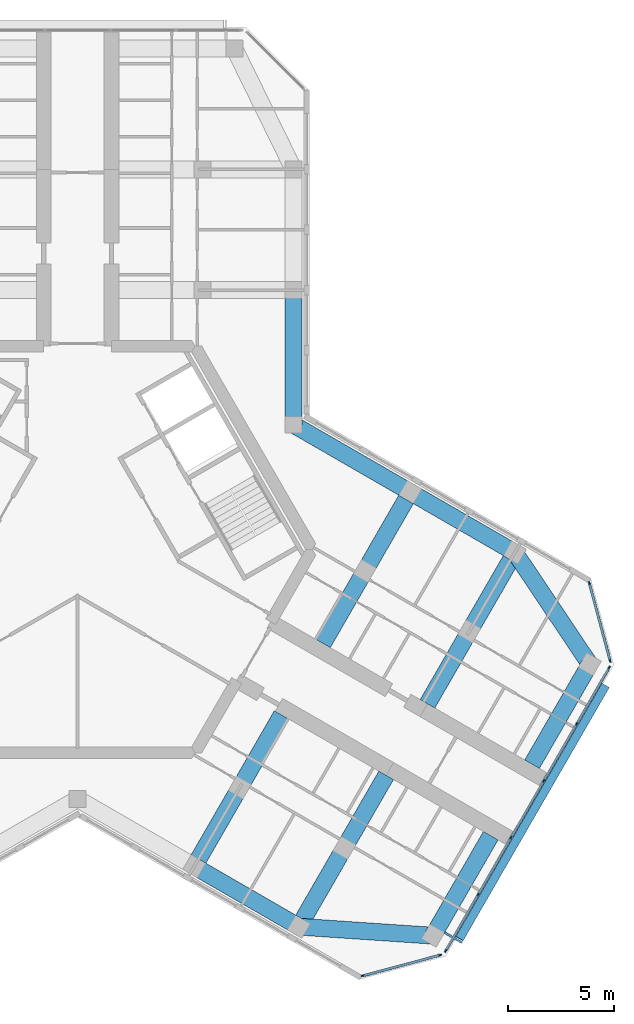
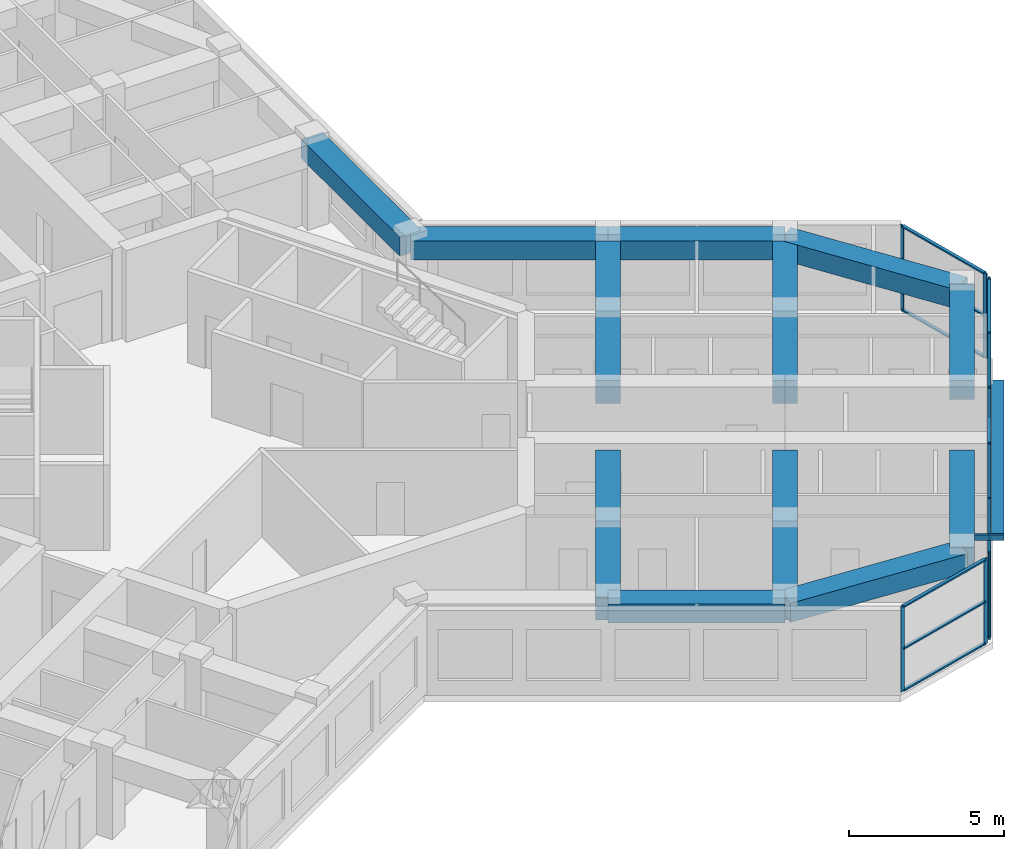
# One storey, part 4 of 14: 28 members, 12 beams, 3 elements without a shape of their own.
"""IFC4 building model written with IfcOpenShell, lengths in metres."""

from ifc_helpers import new_model, si_unit, direction, frame, origin, origin_2d, place, context, subcontext, project, spatial, rectangle, hollow_rectangle, extrude, material, material_profile, profile_set, type_object, element, aggregate, save


model = new_model("IFC4")

# Units and contexts
model_context = context("Model", 3, precision=1e-05, world=origin(), true_north=direction((0.0, 1.0)))
body_context = subcontext(model_context, "Body", "Model", "MODEL_VIEW")
ifc_project = project(units=[si_unit("LENGTHUNIT", "METRE"), si_unit("AREAUNIT", "SQUARE_METRE"), si_unit("VOLUMEUNIT", "CUBIC_METRE"), si_unit("PLANEANGLEUNIT", "RADIAN"), si_unit("MASSUNIT", "GRAM", prefix="KILO")], contexts=[model_context])

# Site, building, storey
site_placement = place(None, origin())
site = spatial("IfcSite", under=ifc_project, at=site_placement, CompositionType="ELEMENT")
building_placement = place(site_placement, origin())
building = spatial("IfcBuilding", under=site, at=building_placement, Name="Kosmar Iwan School Tower", CompositionType="ELEMENT")
storey_placement = place(building_placement, frame((0.0, 0.0, 281.800048828125)))
storey = spatial("IfcBuildingStorey", under=building, at=storey_placement, Name="L71", CompositionType="ELEMENT", Elevation=281.800048828125)

# Members
ifc_material_1 = material(Name="Black anodised aluminium", Category="aluminium")
ifc_material_profile_1 = material_profile(ifc_material_1, rectangle(XDim=0.10009765625, YDim=0.39990234375, at=origin_2d()), Name="FIN 100x400")
ifc_profile_set_1 = profile_set([ifc_material_profile_1], Name="Black anodised aluminium")
member_type_1 = type_object("IfcMemberType", Name="Diagonal fin 100x400", PredefinedType="USERDEFINED", material=ifc_profile_set_1)
member_1_placement = place(storey_placement, frame((24.926513671875, -6.426025390625, -0.150146484375), z_axis=(-0.483800388566, -0.837965217343, 0.2524905514), x_axis=(0.126245460598, 0.218663124976, 0.96759935999)))
element("IfcMember", 1, at=member_1_placement, inside=storey, type_object=member_type_1, Name="Diagonal fin L71-F03", ObjectType="FIN", PredefinedType="USERDEFINED", context=body_context, shape_type="SweptSolid", body=[
    extrude(rectangle(XDim=0.10009765625, YDim=0.39990234375, at=origin_2d()), origin(), (0.0, 0.0, 1.0), 14.25830078125),
])
ifc_material_2 = material(Name="Steel S355", Category="steel")
ifc_material_profile_2 = material_profile(ifc_material_2, hollow_rectangle(XDim=0.10009765625, YDim=0.199951171875, WallThickness=0.008056640625, at=origin_2d()), Name="RHS 200x100x8")
ifc_profile_set_2 = profile_set([ifc_material_profile_2], Name="Steel S355")
member_type_2 = type_object("IfcMemberType", Name="Fin bracket RHS 200x100", PredefinedType="USERDEFINED", material=ifc_profile_set_2)
member_2_placement = place(storey_placement, frame((17.327880859375, -18.087158203125, 3.474853515625), z_axis=(0.865988727248, -0.500063520245, 0.0), x_axis=(0.500063520245, 0.865988727248, 0.0)))
element("IfcMember", 2, at=member_2_placement, inside=storey, type_object=member_type_2, Name="Fin bracket L72", ObjectType="FIN BRACKET", PredefinedType="USERDEFINED", context=body_context, shape_type="SweptSolid", body=[
    extrude(hollow_rectangle(XDim=0.10009765625, YDim=0.199951171875, WallThickness=0.008056640625, at=origin_2d()), origin(), (0.0, 0.0, 1.0), 0.9501953125),
])

# Curtain wall, members
ifc_material_3 = material(Name="Dark glass in black aluminium frame", Category="aluminium")
curtain_wall_type_1 = type_object("IfcCurtainWallType", Name="Chamfer curtain wall dark glass", PredefinedType="USERDEFINED", material=ifc_material_3)
curtain_wall_1_placement = place(storey_placement, origin())
curtain_wall_1 = element("IfcCurtainWall", 3, at=curtain_wall_1_placement, inside=storey, type_object=curtain_wall_type_1, Name="Curtain wall L71-F02", ObjectType="FACETED CURTAIN WALL", PredefinedType="USERDEFINED")
ifc_material_4 = material(Name="Black anodised aluminium", Category="aluminium")
ifc_material_profile_3 = material_profile(ifc_material_4, rectangle(XDim=0.06005859375, YDim=0.159912109375, at=origin_2d()), Name="MULLION 60x160")
ifc_profile_set_3 = profile_set([ifc_material_profile_3], Name="Black anodised aluminium")
member_type_3 = type_object("IfcMemberType", Name="Mullion 60x160", PredefinedType="MULLION", material=ifc_profile_set_3)
member_3_placement = place(storey_placement, frame((13.466064453125, -20.127197265625, 0.0), z_axis=(0.0, 0.0, 1.0), x_axis=(-0.258818861462, 0.965925875495, 0.0)))
member_3 = element("IfcMember", 4, at=member_3_placement, type_object=member_type_3, Name="CW2 mullion 1", PredefinedType="MULLION", context=body_context, shape_type="SweptSolid", body=[
    extrude(rectangle(XDim=0.06005859375, YDim=0.159912109375, at=origin_2d()), origin(), (0.0, 0.0, 1.0), 3.349853515625),
])
member_4_placement = place(storey_placement, frame((17.1162109375, -19.149169921875, 0.0), z_axis=(0.0, 0.0, 1.0), x_axis=(-0.258818861462, 0.965925875495, 0.0)))
member_4 = element("IfcMember", 5, at=member_4_placement, type_object=member_type_3, Name="CW2 mullion 2", PredefinedType="MULLION", context=body_context, shape_type="SweptSolid", body=[
    extrude(rectangle(XDim=0.06005859375, YDim=0.159912109375, at=origin_2d()), origin(), (0.0, 0.0, 1.0), 3.349853515625),
])

ifc_material_5 = material(Name="Dark glass in black aluminium frame", Category="aluminium")
curtain_wall_type_2 = type_object("IfcCurtainWallType", Name="Tower curtain wall dark glass", PredefinedType="USERDEFINED", material=ifc_material_5)
curtain_wall_2_placement = place(storey_placement, origin())
curtain_wall_2 = element("IfcCurtainWall", 6, at=curtain_wall_2_placement, inside=storey, type_object=curtain_wall_type_2, Name="Curtain wall L71-F03", ObjectType="UNITISED CURTAIN WALL", PredefinedType="USERDEFINED")
member_5_placement = place(storey_placement, frame((17.380126953125, -18.94677734375, 0.0), z_axis=(0.0, 0.0, 1.0), x_axis=(-0.866025405329, 0.499999997325, 0.0)))
member_5 = element("IfcMember", 7, at=member_5_placement, type_object=member_type_3, Name="CW1 mullion 1", PredefinedType="MULLION", context=body_context, shape_type="SweptSolid", body=[
    extrude(rectangle(XDim=0.06005859375, YDim=0.159912109375, at=origin_2d()), origin(), (0.0, 0.0, 1.0), 3.349853515625),
])
member_6_placement = place(storey_placement, frame((18.914794921875, -16.28857421875, 0.0), z_axis=(0.0, 0.0, 1.0), x_axis=(-0.866025405329, 0.499999997325, 0.0)))
member_6 = element("IfcMember", 8, at=member_6_placement, type_object=member_type_3, Name="CW1 mullion 2", PredefinedType="MULLION", context=body_context, shape_type="SweptSolid", body=[
    extrude(rectangle(XDim=0.06005859375, YDim=0.159912109375, at=origin_2d()), origin(), (0.0, 0.0, 1.0), 3.349853515625),
])
member_7_placement = place(storey_placement, frame((20.46435546875, -13.6044921875, 0.0), z_axis=(0.0, 0.0, 1.0), x_axis=(-0.866025405329, 0.499999997325, 0.0)))
member_7 = element("IfcMember", 9, at=member_7_placement, type_object=member_type_3, Name="CW1 mullion 3", PredefinedType="MULLION", context=body_context, shape_type="SweptSolid", body=[
    extrude(rectangle(XDim=0.06005859375, YDim=0.159912109375, at=origin_2d()), origin(), (0.0, 0.0, 1.0), 3.349853515625),
])
member_8_placement = place(storey_placement, frame((22.01416015625, -10.92041015625, 0.0), z_axis=(0.0, 0.0, 1.0), x_axis=(-0.866025405329, 0.499999997325, 0.0)))
member_8 = element("IfcMember", 10, at=member_8_placement, type_object=member_type_3, Name="CW1 mullion 4", PredefinedType="MULLION", context=body_context, shape_type="SweptSolid", body=[
    extrude(rectangle(XDim=0.06005859375, YDim=0.159912109375, at=origin_2d()), origin(), (0.0, 0.0, 1.0), 3.349853515625),
])
member_9_placement = place(storey_placement, frame((23.563720703125, -8.236328125, 0.0), z_axis=(0.0, 0.0, 1.0), x_axis=(-0.866025405329, 0.499999997325, 0.0)))
member_9 = element("IfcMember", 11, at=member_9_placement, type_object=member_type_3, Name="CW1 mullion 5", PredefinedType="MULLION", context=body_context, shape_type="SweptSolid", body=[
    extrude(rectangle(XDim=0.06005859375, YDim=0.159912109375, at=origin_2d()), origin(), (0.0, 0.0, 1.0), 3.349853515625),
])
member_10_placement = place(storey_placement, frame((25.098388671875, -5.578369140625, 0.0), z_axis=(0.0, 0.0, 1.0), x_axis=(-0.866025405329, 0.499999997325, 0.0)))
member_10 = element("IfcMember", 12, at=member_10_placement, type_object=member_type_3, Name="CW1 mullion 6", PredefinedType="MULLION", context=body_context, shape_type="SweptSolid", body=[
    extrude(rectangle(XDim=0.06005859375, YDim=0.159912109375, at=origin_2d()), origin(), (0.0, 0.0, 1.0), 3.349853515625),
])

curtain_wall_3_placement = place(storey_placement, origin())
curtain_wall_3 = element("IfcCurtainWall", 13, at=curtain_wall_3_placement, inside=storey, type_object=curtain_wall_type_1, Name="Curtain wall L71-F04", ObjectType="FACETED CURTAIN WALL", PredefinedType="USERDEFINED")
member_11_placement = place(storey_placement, frame((25.141845703125, -5.24853515625, 0.0), z_axis=(0.0, 0.0, 1.0), x_axis=(-0.965925875495, -0.258818861462, 0.0)))
member_11 = element("IfcMember", 14, at=member_11_placement, type_object=member_type_3, Name="CW2 mullion 1", PredefinedType="MULLION", context=body_context, shape_type="SweptSolid", body=[
    extrude(rectangle(XDim=0.06005859375, YDim=0.159912109375, at=origin_2d()), origin(), (0.0, 0.0, 1.0), 3.349853515625),
])
member_12_placement = place(storey_placement, frame((24.163818359375, -1.59814453125, 0.0), z_axis=(0.0, 0.0, 1.0), x_axis=(-0.965925875495, -0.258818861462, 0.0)))
member_12 = element("IfcMember", 15, at=member_12_placement, type_object=member_type_3, Name="CW2 mullion 2", PredefinedType="MULLION", context=body_context, shape_type="SweptSolid", body=[
    extrude(rectangle(XDim=0.06005859375, YDim=0.159912109375, at=origin_2d()), origin(), (0.0, 0.0, 1.0), 3.349853515625),
])

# Beams
ifc_material_6 = material(Name="Concrete C50/60", Category="concrete")
ifc_material_profile_4 = material_profile(ifc_material_6, rectangle(XDim=0.800048828125, YDim=0.75, at=origin_2d()), Name="RC 800x750")
ifc_profile_set_4 = profile_set([ifc_material_profile_4], Name="Concrete C50/60")
beam_type_1 = type_object("IfcBeamType", Name="RC edge beam 800x750", PredefinedType="BEAM", material=ifc_profile_set_4)
beam_1_placement = place(storey_placement, frame((10.199951171875, 5.888916015625, 2.974853515625), z_axis=(0.0, 1.0, 0.0), x_axis=(-1.0, 0.0, 0.0)))
element("IfcBeam", 16, at=beam_1_placement, inside=storey, type_object=beam_type_1, Name="Edge beam AR1", PredefinedType="BEAM", context=body_context, shape_type="SweptSolid", body=[
    extrude(rectangle(XDim=0.800048828125, YDim=0.75, at=origin_2d()), origin(), (0.0, 0.0, 1.0), 6.361083984375),
])
beam_2_placement = place(storey_placement, frame((10.199951171875, 5.888916015625, 2.974853515625), z_axis=(0.866030912664, -0.49999045822, 0.0), x_axis=(0.49999045822, 0.866030912664, 0.0)))
element("IfcBeam", 17, at=beam_2_placement, inside=storey, type_object=beam_type_1, Name="Edge beam CL1", PredefinedType="BEAM", context=body_context, shape_type="SweptSolid", body=[
    extrude(rectangle(XDim=0.800048828125, YDim=0.75, at=origin_2d()), origin(), (0.0, 0.0, 1.0), 6.36083984375),
])
beam_3_placement = place(storey_placement, frame((15.708740234375, 2.70849609375, 2.974853515625), z_axis=(0.866025820012, -0.499999279071, 0.0), x_axis=(0.499999279071, 0.866025820012, 0.0)))
element("IfcBeam", 18, at=beam_3_placement, inside=storey, type_object=beam_type_1, Name="Edge beam CL2", PredefinedType="BEAM", context=body_context, shape_type="SweptSolid", body=[
    extrude(rectangle(XDim=0.800048828125, YDim=0.75, at=origin_2d()), origin(), (0.0, 0.0, 1.0), 5.7001953125),
])
beam_4_placement = place(storey_placement, frame((5.5087890625, -14.95849609375, 2.974853515625), z_axis=(0.866033658841, -0.49998570155, 0.0), x_axis=(0.49998570155, 0.866033658841, 0.0)))
element("IfcBeam", 19, at=beam_4_placement, inside=storey, type_object=beam_type_1, Name="Edge beam CR2", PredefinedType="BEAM", context=body_context, shape_type="SweptSolid", body=[
    extrude(rectangle(XDim=0.800048828125, YDim=0.75, at=origin_2d()), origin(), (0.0, 0.0, 1.0), 5.699951171875),
])
ifc_material_7 = material(Name="Concrete C50/60", Category="concrete")
ifc_material_profile_5 = material_profile(ifc_material_7, rectangle(XDim=0.800048828125, YDim=0.75, at=origin_2d()), Name="RC 800x750")
ifc_profile_set_5 = profile_set([ifc_material_profile_5], Name="Concrete C50/60")
beam_type_2 = type_object("IfcBeamType", Name="RC tip beam 800x750", PredefinedType="BEAM", material=ifc_profile_set_5)
beam_5_placement = place(storey_placement, frame((20.645263671875, -0.1416015625, 2.974853515625), z_axis=(0.556827604145, -0.83062808721, 0.0), x_axis=(0.83062808721, 0.556827604145, 0.0)))
element("IfcBeam", 20, at=beam_5_placement, inside=storey, type_object=beam_type_2, Name="Tip beam CL", PredefinedType="BEAM", context=body_context, shape_type="SweptSolid", body=[
    extrude(rectangle(XDim=0.800048828125, YDim=0.75, at=origin_2d()), origin(), (0.0, 0.0, 1.0), 6.3505859375),
])
beam_6_placement = place(storey_placement, frame((24.181396484375, -5.41650390625, 2.974853515625), z_axis=(-0.499988730927, -0.866031909889, 0.0), x_axis=(0.866031909889, -0.499988730927, 0.0)))
element("IfcBeam", 21, at=beam_6_placement, inside=storey, type_object=beam_type_2, Name="Tip beam CL to corridor wall", PredefinedType="BEAM", context=body_context, shape_type="SweptSolid", body=[
    extrude(rectangle(XDim=0.800048828125, YDim=0.75, at=origin_2d()), origin(), (0.0, 0.0, 1.0), 5.449951171875),
])
beam_7_placement = place(storey_placement, frame((10.445068359375, -17.808349609375, 2.974853515625), z_axis=(0.997755118724, -0.066968074933, 0.0), x_axis=(0.066968074933, 0.997755118724, 0.0)))
element("IfcBeam", 22, at=beam_7_placement, inside=storey, type_object=beam_type_2, Name="Tip beam CR", PredefinedType="BEAM", context=body_context, shape_type="SweptSolid", body=[
    extrude(rectangle(XDim=0.800048828125, YDim=0.75, at=origin_2d()), origin(), (0.0, 0.0, 1.0), 6.3505859375),
])
beam_8_placement = place(storey_placement, frame((16.781494140625, -18.233642578125, 2.974853515625), z_axis=(0.500002931134, 0.866023711487, 0.0), x_axis=(-0.866023711487, 0.500002931134, 0.0)))
element("IfcBeam", 23, at=beam_8_placement, inside=storey, type_object=beam_type_2, Name="Tip beam CR to corridor wall", PredefinedType="BEAM", context=body_context, shape_type="SweptSolid", body=[
    extrude(rectangle(XDim=0.800048828125, YDim=0.75, at=origin_2d()), origin(), (0.0, 0.0, 1.0), 5.4501953125),
])
ifc_material_8 = material(Name="Concrete C50/60", Category="concrete")
ifc_material_profile_6 = material_profile(ifc_material_8, rectangle(XDim=0.800048828125, YDim=0.89990234375, at=origin_2d()), Name="RC 800x900")
ifc_profile_set_6 = profile_set([ifc_material_profile_6], Name="Concrete C50/60")
beam_type_3 = type_object("IfcBeamType", Name="RC transverse beam 800x900", PredefinedType="BEAM", material=ifc_profile_set_6)
beam_9_placement = place(storey_placement, frame((15.708740234375, 2.70849609375, 2.89990234375), z_axis=(-0.499996545922, -0.866027397988, 0.0), x_axis=(0.866027397988, -0.499996545922, 0.0)))
element("IfcBeam", 24, at=beam_9_placement, inside=storey, type_object=beam_type_3, Name="Transverse beam CL1", PredefinedType="BEAM", context=body_context, shape_type="SweptSolid", body=[
    extrude(rectangle(XDim=0.800048828125, YDim=0.89990234375, at=origin_2d()), origin(), (0.0, 0.0, 1.0), 8.25),
])
beam_10_placement = place(storey_placement, frame((20.645263671875, -0.1416015625, 2.89990234375), z_axis=(-0.500009360108, -0.866019999656, 0.0), x_axis=(0.866019999656, -0.500009360108, 0.0)))
element("IfcBeam", 25, at=beam_10_placement, inside=storey, type_object=beam_type_3, Name="Transverse beam CL2", PredefinedType="BEAM", context=body_context, shape_type="SweptSolid", body=[
    extrude(rectangle(XDim=0.800048828125, YDim=0.89990234375, at=origin_2d()), origin(), (0.0, 0.0, 1.0), 8.249755859375),
])
beam_11_placement = place(storey_placement, frame((5.5087890625, -14.95849609375, 2.89990234375), z_axis=(0.499996545922, 0.866027397988, 0.0), x_axis=(-0.866027397988, 0.499996545922, 0.0)))
element("IfcBeam", 26, at=beam_11_placement, inside=storey, type_object=beam_type_3, Name="Transverse beam CR1", PredefinedType="BEAM", context=body_context, shape_type="SweptSolid", body=[
    extrude(rectangle(XDim=0.800048828125, YDim=0.89990234375, at=origin_2d()), origin(), (0.0, 0.0, 1.0), 8.25),
])
beam_12_placement = place(storey_placement, frame((10.445068359375, -17.808349609375, 2.89990234375), z_axis=(0.500009360108, 0.866019999656, 0.0), x_axis=(-0.866019999656, 0.500009360108, 0.0)))
element("IfcBeam", 27, at=beam_12_placement, inside=storey, type_object=beam_type_3, Name="Transverse beam CR2", PredefinedType="BEAM", context=body_context, shape_type="SweptSolid", body=[
    extrude(rectangle(XDim=0.800048828125, YDim=0.89990234375, at=origin_2d()), origin(), (0.0, 0.0, 1.0), 8.249755859375),
])

# Member
ifc_material_9 = material(Name="Black anodised aluminium", Category="aluminium")
ifc_material_profile_7 = material_profile(ifc_material_9, rectangle(XDim=0.1201171875, YDim=0.06005859375, at=origin_2d()), Name="TRANSOM 60x120")
ifc_profile_set_7 = profile_set([ifc_material_profile_7], Name="Black anodised aluminium")
member_type_4 = type_object("IfcMemberType", Name="Transom 60x120", PredefinedType="USERDEFINED", material=ifc_profile_set_7)
member_13_placement = place(storey_placement, frame((13.494873046875, -20.119384765625, 0.030029296875), z_axis=(0.965940141052, 0.258765615768, 0.0), x_axis=(-0.258765615768, 0.965940141052, 0.0)))
member_13 = element("IfcMember", 28, at=member_13_placement, type_object=member_type_4, Name="CW2 transom 1.1", ObjectType="TRANSOM", PredefinedType="USERDEFINED", context=body_context, shape_type="SweptSolid", body=[
    extrude(rectangle(XDim=0.1201171875, YDim=0.06005859375, at=origin_2d()), origin(), (0.0, 0.0, 1.0), 3.71923828125),
])

member_14_placement = place(storey_placement, frame((13.494873046875, -20.119384765625, 1.675048828125), z_axis=(0.965940141052, 0.258765615768, 0.0), x_axis=(-0.258765615768, 0.965940141052, 0.0)))
member_14 = element("IfcMember", 29, at=member_14_placement, type_object=member_type_4, Name="CW2 transom 1.2", ObjectType="TRANSOM", PredefinedType="USERDEFINED", context=body_context, shape_type="SweptSolid", body=[
    extrude(rectangle(XDim=0.1201171875, YDim=0.06005859375, at=origin_2d()), origin(), (0.0, 0.0, 1.0), 3.71923828125),
])

member_15_placement = place(storey_placement, frame((13.494873046875, -20.119384765625, 3.320068359375), z_axis=(0.965940141052, 0.258765615768, 0.0), x_axis=(-0.258765615768, 0.965940141052, 0.0)))
member_15 = element("IfcMember", 30, at=member_15_placement, type_object=member_type_4, Name="CW2 transom 1.3", ObjectType="TRANSOM", PredefinedType="USERDEFINED", context=body_context, shape_type="SweptSolid", body=[
    extrude(rectangle(XDim=0.1201171875, YDim=0.06005859375, at=origin_2d()), origin(), (0.0, 0.0, 1.0), 3.71923828125),
])

aggregate(curtain_wall_1, [member_3, member_4, member_13, member_14, member_15])

member_16_placement = place(storey_placement, frame((17.395263671875, -18.920654296875, 0.030029296875), z_axis=(0.500022102064, 0.866012642776, 0.0), x_axis=(-0.866012642776, 0.500022102064, 0.0)))
member_16 = element("IfcMember", 31, at=member_16_placement, type_object=member_type_4, Name="CW1 transom 1.1", ObjectType="TRANSOM", PredefinedType="USERDEFINED", context=body_context, shape_type="SweptSolid", body=[
    extrude(rectangle(XDim=0.1201171875, YDim=0.06005859375, at=origin_2d()), origin(), (0.0, 0.0, 1.0), 3.009033203125),
])

member_17_placement = place(storey_placement, frame((17.395263671875, -18.920654296875, 3.320068359375), z_axis=(0.500022102064, 0.866012642776, 0.0), x_axis=(-0.866012642776, 0.500022102064, 0.0)))
member_17 = element("IfcMember", 32, at=member_17_placement, type_object=member_type_4, Name="CW1 transom 1.2", ObjectType="TRANSOM", PredefinedType="USERDEFINED", context=body_context, shape_type="SweptSolid", body=[
    extrude(rectangle(XDim=0.1201171875, YDim=0.06005859375, at=origin_2d()), origin(), (0.0, 0.0, 1.0), 3.009033203125),
])

member_18_placement = place(storey_placement, frame((18.9296875, -16.2626953125, 0.030029296875), z_axis=(0.500035348339, 0.866004994449, 0.0), x_axis=(-0.866004994449, 0.500035348339, 0.0)))
member_18 = element("IfcMember", 33, at=member_18_placement, type_object=member_type_4, Name="CW1 transom 2.1", ObjectType="TRANSOM", PredefinedType="USERDEFINED", context=body_context, shape_type="SweptSolid", body=[
    extrude(rectangle(XDim=0.1201171875, YDim=0.06005859375, at=origin_2d()), origin(), (0.0, 0.0, 1.0), 3.039306640625),
])

member_19_placement = place(storey_placement, frame((18.9296875, -16.2626953125, 3.320068359375), z_axis=(0.500035348339, 0.866004994449, 0.0), x_axis=(-0.866004994449, 0.500035348339, 0.0)))
member_19 = element("IfcMember", 34, at=member_19_placement, type_object=member_type_4, Name="CW1 transom 2.2", ObjectType="TRANSOM", PredefinedType="USERDEFINED", context=body_context, shape_type="SweptSolid", body=[
    extrude(rectangle(XDim=0.1201171875, YDim=0.06005859375, at=origin_2d()), origin(), (0.0, 0.0, 1.0), 3.039306640625),
])

member_20_placement = place(storey_placement, frame((20.4794921875, -13.57861328125, 0.030029296875), z_axis=(0.499975102327, 0.866039777986, 0.0), x_axis=(-0.866039777986, 0.499975102327, 0.0)))
member_20 = element("IfcMember", 35, at=member_20_placement, type_object=member_type_4, Name="CW1 transom 3.1", ObjectType="TRANSOM", PredefinedType="USERDEFINED", context=body_context, shape_type="SweptSolid", body=[
    extrude(rectangle(XDim=0.1201171875, YDim=0.06005859375, at=origin_2d()), origin(), (0.0, 0.0, 1.0), 3.039306640625),
])

member_21_placement = place(storey_placement, frame((20.4794921875, -13.57861328125, 3.320068359375), z_axis=(0.499975102327, 0.866039777986, 0.0), x_axis=(-0.866039777986, 0.499975102327, 0.0)))
member_21 = element("IfcMember", 36, at=member_21_placement, type_object=member_type_4, Name="CW1 transom 3.2", ObjectType="TRANSOM", PredefinedType="USERDEFINED", context=body_context, shape_type="SweptSolid", body=[
    extrude(rectangle(XDim=0.1201171875, YDim=0.06005859375, at=origin_2d()), origin(), (0.0, 0.0, 1.0), 3.039306640625),
])

member_22_placement = place(storey_placement, frame((22.029052734375, -10.89453125, 0.030029296875), z_axis=(0.500035348339, 0.866004994449, 0.0), x_axis=(-0.866004994449, 0.500035348339, 0.0)))
member_22 = element("IfcMember", 37, at=member_22_placement, type_object=member_type_4, Name="CW1 transom 4.1", ObjectType="TRANSOM", PredefinedType="USERDEFINED", context=body_context, shape_type="SweptSolid", body=[
    extrude(rectangle(XDim=0.1201171875, YDim=0.06005859375, at=origin_2d()), origin(), (0.0, 0.0, 1.0), 3.039306640625),
])

member_23_placement = place(storey_placement, frame((22.029052734375, -10.89453125, 3.320068359375), z_axis=(0.500035348339, 0.866004994449, 0.0), x_axis=(-0.866004994449, 0.500035348339, 0.0)))
member_23 = element("IfcMember", 38, at=member_23_placement, type_object=member_type_4, Name="CW1 transom 4.2", ObjectType="TRANSOM", PredefinedType="USERDEFINED", context=body_context, shape_type="SweptSolid", body=[
    extrude(rectangle(XDim=0.1201171875, YDim=0.06005859375, at=origin_2d()), origin(), (0.0, 0.0, 1.0), 3.039306640625),
])

member_24_placement = place(storey_placement, frame((23.578857421875, -8.21044921875, 0.030029296875), z_axis=(0.499986971506, 0.866032925658, 0.0), x_axis=(-0.866032925658, 0.499986971506, 0.0)))
member_24 = element("IfcMember", 39, at=member_24_placement, type_object=member_type_4, Name="CW1 transom 5.1", ObjectType="TRANSOM", PredefinedType="USERDEFINED", context=body_context, shape_type="SweptSolid", body=[
    extrude(rectangle(XDim=0.1201171875, YDim=0.06005859375, at=origin_2d()), origin(), (0.0, 0.0, 1.0), 3.00927734375),
])

member_25_placement = place(storey_placement, frame((23.578857421875, -8.21044921875, 3.320068359375), z_axis=(0.499986971506, 0.866032925658, 0.0), x_axis=(-0.866032925658, 0.499986971506, 0.0)))
member_25 = element("IfcMember", 40, at=member_25_placement, type_object=member_type_4, Name="CW1 transom 5.2", ObjectType="TRANSOM", PredefinedType="USERDEFINED", context=body_context, shape_type="SweptSolid", body=[
    extrude(rectangle(XDim=0.1201171875, YDim=0.06005859375, at=origin_2d()), origin(), (0.0, 0.0, 1.0), 3.00927734375),
])

aggregate(curtain_wall_2, [member_5, member_6, member_7, member_8, member_9, member_10, member_16, member_17, member_18, member_19, member_20, member_21, member_22, member_23, member_24, member_25])

member_26_placement = place(storey_placement, frame((25.134033203125, -5.219482421875, 0.030029296875), z_axis=(-0.258843273983, 0.965919333854, 0.0), x_axis=(-0.965919333854, -0.258843273983, 0.0)))
member_26 = element("IfcMember", 41, at=member_26_placement, type_object=member_type_4, Name="CW2 transom 1.1", ObjectType="TRANSOM", PredefinedType="USERDEFINED", context=body_context, shape_type="SweptSolid", body=[
    extrude(rectangle(XDim=0.1201171875, YDim=0.06005859375, at=origin_2d()), origin(), (0.0, 0.0, 1.0), 3.718994140625),
])

member_27_placement = place(storey_placement, frame((25.134033203125, -5.219482421875, 1.675048828125), z_axis=(-0.258843273983, 0.965919333854, 0.0), x_axis=(-0.965919333854, -0.258843273983, 0.0)))
member_27 = element("IfcMember", 42, at=member_27_placement, type_object=member_type_4, Name="CW2 transom 1.2", ObjectType="TRANSOM", PredefinedType="USERDEFINED", context=body_context, shape_type="SweptSolid", body=[
    extrude(rectangle(XDim=0.1201171875, YDim=0.06005859375, at=origin_2d()), origin(), (0.0, 0.0, 1.0), 3.718994140625),
])

member_28_placement = place(storey_placement, frame((25.134033203125, -5.219482421875, 3.320068359375), z_axis=(-0.258843273983, 0.965919333854, 0.0), x_axis=(-0.965919333854, -0.258843273983, 0.0)))
member_28 = element("IfcMember", 43, at=member_28_placement, type_object=member_type_4, Name="CW2 transom 1.3", ObjectType="TRANSOM", PredefinedType="USERDEFINED", context=body_context, shape_type="SweptSolid", body=[
    extrude(rectangle(XDim=0.1201171875, YDim=0.06005859375, at=origin_2d()), origin(), (0.0, 0.0, 1.0), 3.718994140625),
])

aggregate(curtain_wall_3, [member_11, member_12, member_26, member_27, member_28])

save(model, "model.ifc")
